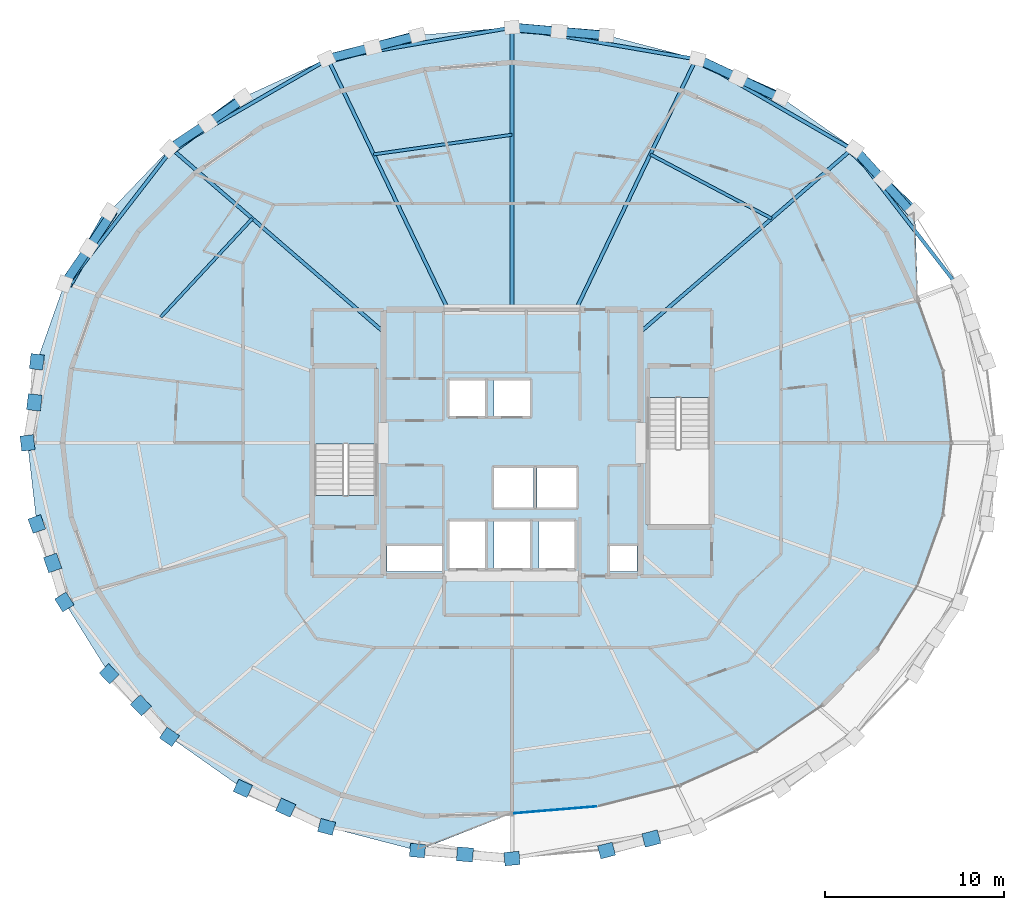
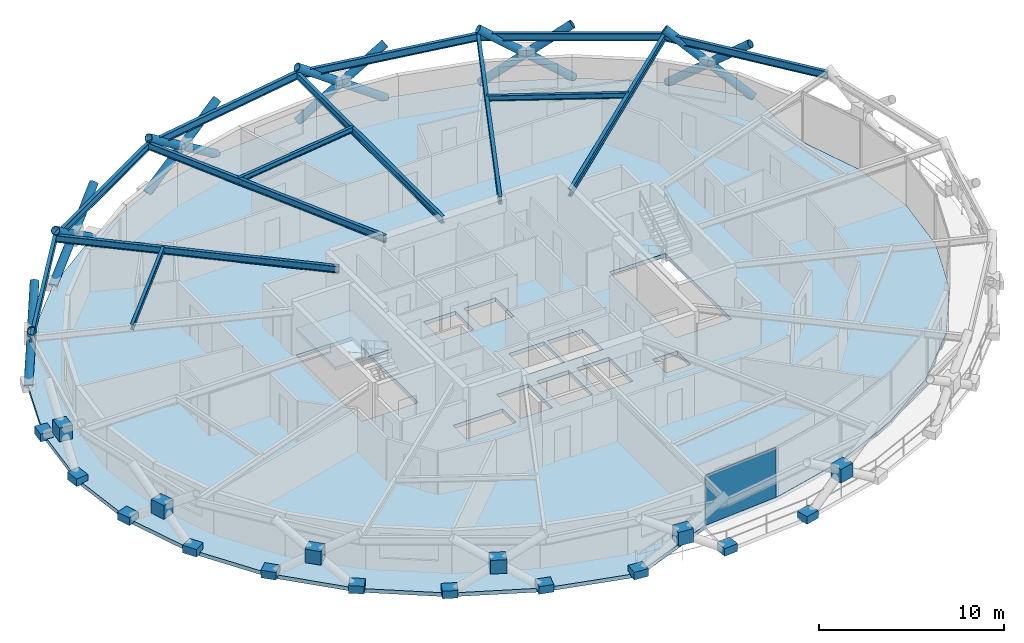
# One storey, part 10 of 16: 18 members, 18 plates, 14 beams, 2 slabs, 2 elements without a shape of their own.
"""IFC4 building model written with IfcOpenShell, lengths in metres."""

from ifc_helpers import new_model, si_unit, direction, frame, origin, origin_2d, place, context, subcontext, project, spatial, polyline, rectangle, hollow_circle, i_section, outline, extrude, material, layer, layer_set, material_profile, profile_set, type_object, element, aggregate, save


model = new_model("IFC4")

# Units and contexts
model_context = context("Model", 3, precision=1e-05, world=origin(), true_north=direction((0.0, 1.0)))
body_context = subcontext(model_context, "Body", "Model", "MODEL_VIEW")
ifc_project = project(units=[si_unit("LENGTHUNIT", "METRE"), si_unit("AREAUNIT", "SQUARE_METRE"), si_unit("VOLUMEUNIT", "CUBIC_METRE"), si_unit("PLANEANGLEUNIT", "RADIAN"), si_unit("MASSUNIT", "GRAM", prefix="KILO")], contexts=[model_context])

# Site, building, storey
site_placement = place(None, origin())
site = spatial("IfcSite", under=ifc_project, at=site_placement, CompositionType="ELEMENT")
building_placement = place(site_placement, origin())
building = spatial("IfcBuilding", under=site, at=building_placement, Name="Veldorina Hangang Commons", CompositionType="ELEMENT")
storey_placement = place(building_placement, frame((0.0, 0.0, 189.199951171875)))
storey = spatial("IfcBuildingStorey", under=building, at=storey_placement, Name="L49", CompositionType="ELEMENT", Elevation=189.199951171875)

# Beams
ifc_material_1 = material(Name="Steel SM355-TMC", Category="steel")
ifc_material_profile_1 = material_profile(ifc_material_1, i_section(OverallWidth=0.199951171875, OverallDepth=0.449951171875, WebThickness=0.009033203125, FlangeThickness=0.013916015625, FilletRadius=0.01611328125, at=origin_2d()), Name="H-450x200x9x14")
ifc_profile_set_1 = profile_set([ifc_material_profile_1], Name="Steel SM355-TMC")
beam_type_1 = type_object("IfcBeamType", Name="BM-FG450", PredefinedType="BEAM", material=ifc_profile_set_1)
beam_1_placement = place(storey_placement, frame((39.199951171875, 30.221923828125, 3.125), z_axis=(0.756619810777, 0.65385507717, 0.0), x_axis=(-0.65385507717, 0.756619810777, 0.0)))
element("IfcBeam", 1, at=beam_1_placement, inside=storey, type_object=beam_type_1, Name="L49 radial floor girder 03", PredefinedType="BEAM", context=body_context, shape_type="SweptSolid", body=[
    extrude(i_section(OverallWidth=0.199951171875, OverallDepth=0.449951171875, WebThickness=0.009033203125, FlangeThickness=0.013916015625, FilletRadius=0.01611328125, at=origin_2d()), origin(), (0.0, 0.0, 1.0), 15.617919921875),
])
beam_2_placement = place(storey_placement, frame((35.57080078125, 31.449951171875, 3.125), z_axis=(0.432242013967, 0.901757640035, 0.0), x_axis=(-0.901757640035, 0.432242013967, 0.0)))
element("IfcBeam", 2, at=beam_2_placement, inside=storey, type_object=beam_type_1, Name="L49 radial floor girder 04", PredefinedType="BEAM", context=body_context, shape_type="SweptSolid", body=[
    extrude(i_section(OverallWidth=0.199951171875, OverallDepth=0.449951171875, WebThickness=0.009033203125, FlangeThickness=0.013916015625, FilletRadius=0.01611328125, at=origin_2d()), origin(), (0.0, 0.0, 1.0), 15.549560546875),
])
beam_3_placement = place(storey_placement, frame((32.0, 31.449951171875, 3.125), z_axis=(0.0, 1.0, 0.0), x_axis=(-1.0, 0.0, 0.0)))
element("IfcBeam", 3, at=beam_3_placement, inside=storey, type_object=beam_type_1, Name="L49 radial floor girder 05", PredefinedType="BEAM", context=body_context, shape_type="SweptSolid", body=[
    extrude(i_section(OverallWidth=0.199951171875, OverallDepth=0.449951171875, WebThickness=0.009033203125, FlangeThickness=0.013916015625, FilletRadius=0.01611328125, at=origin_2d()), origin(), (0.0, 0.0, 1.0), 15.791259765625),
])
beam_4_placement = place(storey_placement, frame((28.42919921875, 31.449951171875, 3.125), z_axis=(-0.432242013967, 0.901757640035, 0.0), x_axis=(-0.901757640035, -0.432242013967, 0.0)))
element("IfcBeam", 4, at=beam_4_placement, inside=storey, type_object=beam_type_1, Name="L49 radial floor girder 06", PredefinedType="BEAM", context=body_context, shape_type="SweptSolid", body=[
    extrude(i_section(OverallWidth=0.199951171875, OverallDepth=0.449951171875, WebThickness=0.009033203125, FlangeThickness=0.013916015625, FilletRadius=0.01611328125, at=origin_2d()), origin(), (0.0, 0.0, 1.0), 15.549560546875),
])
beam_5_placement = place(storey_placement, frame((24.800048828125, 30.221923828125, 3.125), z_axis=(-0.756619810777, 0.65385507717, 0.0), x_axis=(-0.65385507717, -0.756619810777, 0.0)))
element("IfcBeam", 5, at=beam_5_placement, inside=storey, type_object=beam_type_1, Name="L49 radial floor girder 07", PredefinedType="BEAM", context=body_context, shape_type="SweptSolid", body=[
    extrude(i_section(OverallWidth=0.199951171875, OverallDepth=0.449951171875, WebThickness=0.009033203125, FlangeThickness=0.013916015625, FilletRadius=0.01611328125, at=origin_2d()), origin(), (0.0, 0.0, 1.0), 15.617919921875),
])
ifc_material_profile_2 = material_profile(ifc_material_1, i_section(OverallWidth=0.175048828125, OverallDepth=0.35009765625, WebThickness=0.007080078125, FlangeThickness=0.010986328125, FilletRadius=0.012939453125, at=origin_2d()), Name="H-350x175x7x11")
ifc_profile_set_2 = profile_set([ifc_material_profile_2], Name="Steel SM355-TMC")
beam_type_2 = type_object("IfcBeamType", Name="BM-JST350", PredefinedType="JOIST", material=ifc_profile_set_2)
beam_6_placement = place(storey_placement, frame((46.526611328125, 36.553466796875, 3.175048828125), z_axis=(-0.884002796641, 0.467481609832, 0.0), x_axis=(-0.467481609832, -0.884002796641, 0.0)))
element("IfcBeam", 6, at=beam_6_placement, inside=storey, type_object=beam_type_2, Name="L49 secondary floor joist 03", PredefinedType="JOIST", context=body_context, shape_type="SweptSolid", body=[
    extrude(i_section(OverallWidth=0.175048828125, OverallDepth=0.35009765625, WebThickness=0.007080078125, FlangeThickness=0.010986328125, FilletRadius=0.012939453125, at=origin_2d()), origin(), (0.0, 0.0, 1.0), 7.6796875),
])
beam_7_placement = place(storey_placement, frame((32.0, 41.240478515625, 3.175048828125), z_axis=(-0.990100746556, -0.14035851121, 0.0), x_axis=(0.14035851121, -0.990100746556, 0.0)))
element("IfcBeam", 7, at=beam_7_placement, inside=storey, type_object=beam_type_2, Name="L49 secondary floor joist 05", PredefinedType="JOIST", context=body_context, shape_type="SweptSolid", body=[
    extrude(i_section(OverallWidth=0.175048828125, OverallDepth=0.35009765625, WebThickness=0.007080078125, FlangeThickness=0.010986328125, FilletRadius=0.012939453125, at=origin_2d()), origin(), (0.0, 0.0, 1.0), 7.815185546875),
])
beam_8_placement = place(storey_placement, frame((17.473388671875, 36.553466796875, 3.175048828125), z_axis=(-0.680617670115, -0.732638783527, 0.0), x_axis=(0.732638783527, -0.680617670115, 0.0)))
element("IfcBeam", 8, at=beam_8_placement, inside=storey, type_object=beam_type_2, Name="L49 secondary floor joist 07", PredefinedType="JOIST", context=body_context, shape_type="SweptSolid", body=[
    extrude(i_section(OverallWidth=0.175048828125, OverallDepth=0.35009765625, WebThickness=0.007080078125, FlangeThickness=0.010986328125, FilletRadius=0.012939453125, at=origin_2d()), origin(), (0.0, 0.0, 1.0), 7.532470703125),
])
ifc_material_2 = material(Name="Steel SM420-TMC", Category="steel")
ifc_material_profile_3 = material_profile(ifc_material_2, i_section(OverallWidth=0.199951171875, OverallDepth=0.5, WebThickness=0.010009765625, FlangeThickness=0.01611328125, FilletRadius=0.01611328125, at=origin_2d()), Name="H-500x200x10x16")
ifc_profile_set_3 = profile_set([ifc_material_profile_3], Name="Steel SM420-TMC")
beam_type_3 = type_object("IfcBeamType", Name="BM-RB500", PredefinedType="BEAM", material=ifc_profile_set_3)
beam_9_placement = place(storey_placement, frame((56.8466796875, 32.89404296875, 3.10009765625), z_axis=(-0.61168587168, 0.791100748569, 0.0), x_axis=(-0.791100748569, -0.61168587168, 0.0)))
element("IfcBeam", 9, at=beam_9_placement, inside=storey, type_object=beam_type_3, Name="L49 perimeter hoop ring beam 02", PredefinedType="BEAM", context=body_context, shape_type="SweptSolid", body=[
    extrude(i_section(OverallWidth=0.199951171875, OverallDepth=0.5, WebThickness=0.010009765625, FlangeThickness=0.01611328125, FilletRadius=0.01611328125, at=origin_2d()), origin(), (0.0, 0.0, 1.0), 9.53076171875),
])
beam_10_placement = place(storey_placement, frame((51.016845703125, 40.433837890625, 3.10009765625), z_axis=(-0.865991473684, 0.500058764053, 0.0), x_axis=(-0.500058764053, -0.865991473684, 0.0)))
element("IfcBeam", 10, at=beam_10_placement, inside=storey, type_object=beam_type_3, Name="L49 perimeter hoop ring beam 04", PredefinedType="BEAM", context=body_context, shape_type="SweptSolid", body=[
    extrude(i_section(OverallWidth=0.199951171875, OverallDepth=0.5, WebThickness=0.010009765625, FlangeThickness=0.01611328125, FilletRadius=0.01611328125, at=origin_2d()), origin(), (0.0, 0.0, 1.0), 10.074951171875),
])
for number, where, z_axis, x_axis, name in (
    (11, (42.2919921875, 45.471923828125, 3.10009765625), (-0.985543279827, 0.169423857788, 0.0), (-0.169423857788, -0.985543279827, 0.0), "L49 perimeter hoop ring beam 06"),
    (12, (32.0, 47.2412109375, 3.10009765625), (-0.985543279827, -0.169423857788, 0.0), (0.169423857788, -0.985543279827, 0.0), "L49 perimeter hoop ring beam 08"),
):
    element("IfcBeam", number, at=place(storey_placement, frame(where, z_axis=z_axis, x_axis=x_axis)), inside=storey, type_object=beam_type_3, Name=name, PredefinedType="BEAM", context=body_context, shape_type="SweptSolid", body=[
        extrude(i_section(OverallWidth=0.199951171875, OverallDepth=0.5, WebThickness=0.010009765625, FlangeThickness=0.01611328125, FilletRadius=0.01611328125, at=origin_2d()), origin(), (0.0, 0.0, 1.0), 10.44287109375),
    ])
beam_11_placement = place(storey_placement, frame((21.7080078125, 45.471923828125, 3.10009765625), z_axis=(-0.865991473684, -0.500058764053, 0.0), x_axis=(0.500058764053, -0.865991473684, 0.0)))
element("IfcBeam", 13, at=beam_11_placement, inside=storey, type_object=beam_type_3, Name="L49 perimeter hoop ring beam 10", PredefinedType="BEAM", context=body_context, shape_type="SweptSolid", body=[
    extrude(i_section(OverallWidth=0.199951171875, OverallDepth=0.5, WebThickness=0.010009765625, FlangeThickness=0.01611328125, FilletRadius=0.01611328125, at=origin_2d()), origin(), (0.0, 0.0, 1.0), 10.074951171875),
])
beam_12_placement = place(storey_placement, frame((12.983154296875, 40.433837890625, 3.10009765625), z_axis=(-0.61168587168, -0.791100748569, 0.0), x_axis=(0.791100748569, -0.61168587168, 0.0)))
element("IfcBeam", 14, at=beam_12_placement, inside=storey, type_object=beam_type_3, Name="L49 perimeter hoop ring beam 12", PredefinedType="BEAM", context=body_context, shape_type="SweptSolid", body=[
    extrude(i_section(OverallWidth=0.199951171875, OverallDepth=0.5, WebThickness=0.010009765625, FlangeThickness=0.01611328125, FilletRadius=0.01611328125, at=origin_2d()), origin(), (0.0, 0.0, 1.0), 9.53076171875),
])

# Members
ifc_material_profile_4 = material_profile(ifc_material_2, hollow_circle(Radius=0.25, WallThickness=0.02490234375, at=origin_2d()), Name="CHS-500x25")
ifc_profile_set_4 = profile_set([ifc_material_profile_4], Name="Steel SM420-TMC")
member_type = type_object("IfcMemberType", Name="DG-CHS500", PredefinedType="BRACE", material=ifc_profile_set_4)
member_1_placement = place(storey_placement, frame((54.5361328125, 36.917724609375, 0.0), z_axis=(-0.575774313963, 0.571172245444, 0.585018124006), x_axis=(-0.704263879636, -0.709938298615, 0.0)))
element("IfcMember", 15, at=member_1_placement, inside=storey, type_object=member_type, Name="L49 continuous perimeter diagrid brace 03", PredefinedType="BRACE", context=body_context, shape_type="SweptSolid", body=[
    extrude(hollow_circle(Radius=0.25, WallThickness=0.02490234375, at=origin_2d()), origin(), (0.0, 0.0, 1.0), 6.15380859375),
])
member_2_placement = place(storey_placement, frame((51.16552734375, 40.44140625, 0.0), z_axis=(0.534502086193, -0.590545853075, 0.604618156584), x_axis=(0.741411660676, 0.671050482016, 0.0)))
element("IfcMember", 16, at=member_2_placement, inside=storey, type_object=member_type, Name="L49 split perimeter diagrid lower brace 04", PredefinedType="BRACE", context=body_context, shape_type="SweptSolid", body=[
    extrude(hollow_circle(Radius=0.25, WallThickness=0.02490234375, at=origin_2d()), origin(), (0.0, 0.0, 1.0), 2.984130859375),
])
member_3_placement = place(storey_placement, frame((52.760498046875, 38.67919921875, 1.80419921875), z_axis=(0.529427798158, -0.595174808175, 0.604543757102), x_axis=(0.74717019632, 0.664632754031, 0.0)))
element("IfcMember", 17, at=member_3_placement, inside=storey, type_object=member_type, Name="L49 split perimeter diagrid upper brace 04", PredefinedType="BRACE", context=body_context, shape_type="SweptSolid", body=[
    extrude(hollow_circle(Radius=0.25, WallThickness=0.02490234375, at=origin_2d()), origin(), (0.0, 0.0, 1.0), 2.970703125),
])
member_4_placement = place(storey_placement, frame((47.05810546875, 43.3330078125, 0.0), z_axis=(-0.752192204928, 0.336403900396, 0.566603302711), x_axis=(-0.408261761367, -0.912864904685, 0.0)))
element("IfcMember", 18, at=member_4_placement, inside=storey, type_object=member_type, Name="L49 continuous perimeter diagrid brace 05", PredefinedType="BRACE", context=body_context, shape_type="SweptSolid", body=[
    extrude(hollow_circle(Radius=0.25, WallThickness=0.02490234375, at=origin_2d()), origin(), (0.0, 0.0, 1.0), 6.353759765625),
])
member_5_placement = place(storey_placement, frame((42.372314453125, 45.481689453125, 0.0), z_axis=(0.736119851785, -0.346293785954, 0.581556684785), x_axis=(0.425680739384, 0.904873421047, 0.0)))
element("IfcMember", 19, at=member_5_placement, inside=storey, type_object=member_type, Name="L49 split perimeter diagrid lower brace 06", PredefinedType="BRACE", context=body_context, shape_type="SweptSolid", body=[
    extrude(hollow_circle(Radius=0.25, WallThickness=0.02490234375, at=origin_2d()), origin(), (0.0, 0.0, 1.0), 3.10693359375),
])
member_6_placement = place(storey_placement, frame((44.659423828125, 44.40576171875, 1.806884765625), z_axis=(0.733887963239, -0.351110368605, 0.581489437971), x_axis=(0.431576009866, 0.902076575302, 0.0)))
element("IfcMember", 20, at=member_6_placement, inside=storey, type_object=member_type, Name="L49 split perimeter diagrid upper brace 06", PredefinedType="BRACE", context=body_context, shape_type="SweptSolid", body=[
    extrude(hollow_circle(Radius=0.25, WallThickness=0.02490234375, at=origin_2d()), origin(), (0.0, 0.0, 1.0), 3.083740234375),
])
member_7_placement = place(storey_placement, frame((37.28759765625, 46.8046875, 0.0), z_axis=(-0.82469397215, 0.067816971299, 0.561498629298), x_axis=(-0.081956255749, -0.99663592758, 0.0)))
element("IfcMember", 21, at=member_7_placement, inside=storey, type_object=member_type, Name="L49 continuous perimeter diagrid brace 07", PredefinedType="BRACE", context=body_context, shape_type="SweptSolid", body=[
    extrude(hollow_circle(Radius=0.25, WallThickness=0.02490234375, at=origin_2d()), origin(), (0.0, 0.0, 1.0), 6.41162109375),
])
member_8_placement = place(storey_placement, frame((32.0, 47.25146484375, 0.0), z_axis=(0.822151355043, -0.07137869106, 0.564776267086), x_axis=(0.086494037362, 0.996252368379, 0.0)))
element("IfcMember", 22, at=member_8_placement, inside=storey, type_object=member_type, Name="L49 split perimeter diagrid lower brace 08", PredefinedType="BRACE", context=body_context, shape_type="SweptSolid", body=[
    extrude(hollow_circle(Radius=0.25, WallThickness=0.02490234375, at=origin_2d()), origin(), (0.0, 0.0, 1.0), 3.201416015625),
])
member_9_placement = place(storey_placement, frame((34.632080078125, 47.02294921875, 1.80810546875), z_axis=(0.822013179201, -0.072489834751, 0.564835867379), x_axis=(0.087844822071, 0.996134171302, 0.0)))
element("IfcMember", 23, at=member_9_placement, inside=storey, type_object=member_type, Name="L49 split perimeter diagrid upper brace 08", PredefinedType="BRACE", context=body_context, shape_type="SweptSolid", body=[
    extrude(hollow_circle(Radius=0.25, WallThickness=0.02490234375, at=origin_2d()), origin(), (0.0, 0.0, 1.0), 3.172607421875),
])
member_10_placement = place(storey_placement, frame((26.71240234375, 46.8046875, 0.0), z_axis=(-0.792624688354, -0.211880939242, 0.57171021593), x_axis=(0.258247897084, -0.966078683986, 0.0)))
element("IfcMember", 24, at=member_10_placement, inside=storey, type_object=member_type, Name="L49 continuous perimeter diagrid brace 09", PredefinedType="BRACE", context=body_context, shape_type="SweptSolid", body=[
    extrude(hollow_circle(Radius=0.25, WallThickness=0.02490234375, at=origin_2d()), origin(), (0.0, 0.0, 1.0), 6.297119140625),
])
member_11_placement = place(storey_placement, frame((21.627685546875, 45.481689453125, 0.0), z_axis=(0.801758062473, 0.203077626846, 0.56208850436), x_axis=(-0.245536515558, 0.96938734236, 0.0)))
element("IfcMember", 25, at=member_11_placement, inside=storey, type_object=member_type, Name="L49 split perimeter diagrid lower brace 10", PredefinedType="BRACE", context=body_context, shape_type="SweptSolid", body=[
    extrude(hollow_circle(Radius=0.25, WallThickness=0.02490234375, at=origin_2d()), origin(), (0.0, 0.0, 1.0), 3.2158203125),
])
member_12_placement = place(storey_placement, frame((24.2060546875, 46.134765625, 1.8076171875), z_axis=(0.800896097979, 0.206406259454, 0.562104880161), x_axis=(-0.249564447347, 0.968358191281, 0.0)))
element("IfcMember", 26, at=member_12_placement, inside=storey, type_object=member_type, Name="L49 split perimeter diagrid upper brace 10", PredefinedType="BRACE", context=body_context, shape_type="SweptSolid", body=[
    extrude(hollow_circle(Radius=0.25, WallThickness=0.02490234375, at=origin_2d()), origin(), (0.0, 0.0, 1.0), 3.18896484375),
])
member_13_placement = place(storey_placement, frame((16.94189453125, 43.3330078125, 0.0), z_axis=(-0.648144331787, -0.477753593202, 0.593009636814), x_axis=(0.593338729797, -0.80495288789, 0.0)))
element("IfcMember", 27, at=member_13_placement, inside=storey, type_object=member_type, Name="L49 continuous perimeter diagrid brace 11", PredefinedType="BRACE", context=body_context, shape_type="SweptSolid", body=[
    extrude(hollow_circle(Radius=0.25, WallThickness=0.02490234375, at=origin_2d()), origin(), (0.0, 0.0, 1.0), 6.07080078125),
])
member_14_placement = place(storey_placement, frame((12.83447265625, 40.44140625, 0.0), z_axis=(0.67894279169, 0.457185364591, 0.574472129887), x_axis=(-0.558548417583, 0.829471919486, 0.0)))
element("IfcMember", 28, at=member_14_placement, inside=storey, type_object=member_type, Name="L49 split perimeter diagrid lower brace 12", PredefinedType="BRACE", context=body_context, shape_type="SweptSolid", body=[
    extrude(hollow_circle(Radius=0.25, WallThickness=0.02490234375, at=origin_2d()), origin(), (0.0, 0.0, 1.0), 3.14306640625),
])
member_15_placement = place(storey_placement, frame((14.968505859375, 41.87841796875, 1.8056640625), z_axis=(0.675238620819, 0.46253611014, 0.574554742188), x_axis=(-0.565125517834, 0.825004938829, 0.0)))
element("IfcMember", 29, at=member_15_placement, inside=storey, type_object=member_type, Name="L49 split perimeter diagrid upper brace 12", PredefinedType="BRACE", context=body_context, shape_type="SweptSolid", body=[
    extrude(hollow_circle(Radius=0.25, WallThickness=0.02490234375, at=origin_2d()), origin(), (0.0, 0.0, 1.0), 3.123291015625),
])
member_16_placement = place(storey_placement, frame((9.4638671875, 36.917724609375, 0.0), z_axis=(-0.388889402348, -0.686638057872, 0.614241980186), x_axis=(0.87013386328, -0.492815442101, 0.0)))
element("IfcMember", 30, at=member_16_placement, inside=storey, type_object=member_type, Name="L49 continuous perimeter diagrid brace 13", PredefinedType="BRACE", context=body_context, shape_type="SweptSolid", body=[
    extrude(hollow_circle(Radius=0.25, WallThickness=0.02490234375, at=origin_2d()), origin(), (0.0, 0.0, 1.0), 5.861083984375),
])
member_17_placement = place(storey_placement, frame((6.958984375, 32.89794921875, 0.0), z_axis=(0.451319648856, 0.663524733529, 0.596695485614), x_axis=(-0.826855321704, 0.56241468417, 0.0)))
element("IfcMember", 31, at=member_17_placement, inside=storey, type_object=member_type, Name="L49 split perimeter diagrid lower brace 14", PredefinedType="BRACE", context=body_context, shape_type="SweptSolid", body=[
    extrude(hollow_circle(Radius=0.25, WallThickness=0.02490234375, at=origin_2d()), origin(), (0.0, 0.0, 1.0), 3.021240234375),
])
member_18_placement = place(storey_placement, frame((8.322509765625, 34.902587890625, 1.802734375), z_axis=(0.446304088582, 0.666862284192, 0.596747312049), x_axis=(-0.831054342837, 0.556191225436, 0.0)))
element("IfcMember", 32, at=member_18_placement, inside=storey, type_object=member_type, Name="L49 split perimeter diagrid upper brace 14", PredefinedType="BRACE", context=body_context, shape_type="SweptSolid", body=[
    extrude(hollow_circle(Radius=0.25, WallThickness=0.02490234375, at=origin_2d()), origin(), (0.0, 0.0, 1.0), 3.011962890625),
])

# Curtain wall, plate
ifc_material_3 = material(Name="Glass Low-E Triple IGU", Category="glass")
ifc_layer_1 = layer(ifc_material_3, 0.179931640625)
ifc_layer_set_1 = layer_set([ifc_layer_1], Name="Glass Low-E Triple IGU")
curtain_wall_type = type_object("IfcCurtainWallType", Name="CW-SYS-Z2", PredefinedType="NOTDEFINED", material=ifc_layer_set_1)
curtain_wall_placement = place(storey_placement, origin())
curtain_wall = element("IfcCurtainWall", 33, at=curtain_wall_placement, inside=storey, type_object=curtain_wall_type, Name="L49 unitised curtain wall CW-L49-R1", PredefinedType="NOTDEFINED")
ifc_layer_2 = layer(ifc_material_3, 0.0400390625)
ifc_layer_set_2 = layer_set([ifc_layer_2], Name="Glass Low-E Triple IGU")
plate_type_1 = type_object("IfcPlateType", Name="CW-PNL-VIS", PredefinedType="CURTAIN_PANEL", material=ifc_layer_set_2)
plate_1_placement = place(storey_placement, frame((34.39794921875, 3.467529296875, 0.01513671875), z_axis=(0.0, 0.0, 1.0), x_axis=(0.996569836959, 0.082756027351, 0.0)))
plate_1 = element("IfcPlate", 34, at=plate_1_placement, type_object=plate_type_1, Name="CW-L49-R1 facet 1 glazed vision panel", PredefinedType="CURTAIN_PANEL", context=body_context, shape_type="SweptSolid", body=[
    extrude(rectangle(XDim=4.632568359375, YDim=0.0400390625, at=origin_2d()), origin(), (0.0, 0.0, 1.0), 3.280029296875),
])
aggregate(curtain_wall, [plate_1])

# Plates
ifc_material_4 = material(Name="Steel SM460-TMC", Category="steel")
ifc_layer_3 = layer(ifc_material_4, 0.035888671875)
ifc_layer_set_3 = layer_set([ifc_layer_3], Name="Steel SM460-TMC")
plate_type_2 = type_object("IfcPlateType", Name="PL-STAR-36", PredefinedType="USERDEFINED", material=ifc_layer_set_3)
plate_2_placement = place(storey_placement, frame((5.416748046875, 28.5361328125, -0.08984375), z_axis=(0.0, 0.0, 1.0), x_axis=(-0.114070225565, -0.993472688925, 0.0)))
element("IfcPlate", 35, at=plate_2_placement, inside=storey, type_object=plate_type_2, Name="L49 diagrid star-node gusset plate 15", ObjectType="GUSSET PLATE", PredefinedType="USERDEFINED", context=body_context, shape_type="SweptSolid", body=[
    extrude(rectangle(XDim=0.85009765625, YDim=0.75, at=origin_2d()), origin(), (0.0, 0.0, 1.0), 0.5),
])
plate_3_placement = place(storey_placement, frame((5.2783203125, 26.267333984375, 1.3505859375), z_axis=(0.0, 0.0, 1.0), x_axis=(-0.114070225565, -0.993472688925, 0.0)))
element("IfcPlate", 36, at=plate_3_placement, inside=storey, type_object=plate_type_2, Name="L49 diagrid X-crossing star-node gusset plate 15", ObjectType="GUSSET PLATE", PredefinedType="USERDEFINED", context=body_context, shape_type="SweptSolid", body=[
    extrude(rectangle(XDim=0.89990234375, YDim=0.780029296875, at=origin_2d()), origin(), (0.0, 0.0, 1.0), 0.89990234375),
])
for number, where, z_axis, x_axis, name in (
    (37, (4.89599609375, 24.0, -0.08984375), (0.0, 0.0, 1.0), (0.114070225565, -0.993472688925, 0.0), "L49 diagrid star-node gusset plate 16"),
    (38, (5.416748046875, 19.4638671875, -0.08984375), (0.0, 0.0, 1.0), (0.33337906774, -0.94279287078, 0.0), "L49 diagrid star-node gusset plate 17"),
):
    element("IfcPlate", number, at=place(storey_placement, frame(where, z_axis=z_axis, x_axis=x_axis)), inside=storey, type_object=plate_type_2, Name=name, ObjectType="GUSSET PLATE", PredefinedType="USERDEFINED", context=body_context, shape_type="SweptSolid", body=[
        extrude(rectangle(XDim=0.85009765625, YDim=0.75, at=origin_2d()), origin(), (0.0, 0.0, 1.0), 0.5),
    ])
plate_4_placement = place(storey_placement, frame((6.30126953125, 17.28369140625, 1.351318359375), z_axis=(0.0, 0.0, 1.0), x_axis=(0.33337906774, -0.94279287078, 0.0)))
element("IfcPlate", 39, at=plate_4_placement, inside=storey, type_object=plate_type_2, Name="L49 diagrid X-crossing star-node gusset plate 17", ObjectType="GUSSET PLATE", PredefinedType="USERDEFINED", context=body_context, shape_type="SweptSolid", body=[
    extrude(rectangle(XDim=0.89990234375, YDim=0.780029296875, at=origin_2d()), origin(), (0.0, 0.0, 1.0), 0.89990234375),
])
for number, where, z_axis, x_axis, name in (
    (40, (6.958984375, 15.10205078125, -0.08984375), (0.0, 0.0, 1.0), (0.528838344516, -0.848722572676, 0.0), "L49 diagrid star-node gusset plate 18"),
    (41, (9.4638671875, 11.082275390625, -0.08984375), (0.0, 0.0, 1.0), (0.691260861067, -0.722605301639, 0.0), "L49 diagrid star-node gusset plate 19"),
):
    element("IfcPlate", number, at=place(storey_placement, frame(where, z_axis=z_axis, x_axis=x_axis)), inside=storey, type_object=plate_type_2, Name=name, ObjectType="GUSSET PLATE", PredefinedType="USERDEFINED", context=body_context, shape_type="SweptSolid", body=[
        extrude(rectangle(XDim=0.85009765625, YDim=0.75, at=origin_2d()), origin(), (0.0, 0.0, 1.0), 0.5),
    ])
plate_5_placement = place(storey_placement, frame((11.239501953125, 9.32080078125, 1.354248046875), z_axis=(0.0, 0.0, 1.0), x_axis=(0.691260861067, -0.722605301639, 0.0)))
element("IfcPlate", 42, at=plate_5_placement, inside=storey, type_object=plate_type_2, Name="L49 diagrid X-crossing star-node gusset plate 19", ObjectType="GUSSET PLATE", PredefinedType="USERDEFINED", context=body_context, shape_type="SweptSolid", body=[
    extrude(rectangle(XDim=0.89990234375, YDim=0.780029296875, at=origin_2d()), origin(), (0.0, 0.0, 1.0), 0.89990234375),
])
for number, where, z_axis, x_axis, name in (
    (43, (12.83447265625, 7.55859375, -0.08984375), (0.0, 0.0, 1.0), (0.817687809993, -0.575661919349, 0.0), "L49 diagrid star-node gusset plate 20"),
    (44, (16.94189453125, 4.6669921875, -0.08984375), (0.0, 0.0, 1.0), (0.908988922979, -0.416820270503, 0.0), "L49 diagrid star-node gusset plate 21"),
):
    element("IfcPlate", number, at=place(storey_placement, frame(where, z_axis=z_axis, x_axis=x_axis)), inside=storey, type_object=plate_type_2, Name=name, ObjectType="GUSSET PLATE", PredefinedType="USERDEFINED", context=body_context, shape_type="SweptSolid", body=[
        extrude(rectangle(XDim=0.85009765625, YDim=0.75, at=origin_2d()), origin(), (0.0, 0.0, 1.0), 0.5),
    ])
plate_6_placement = place(storey_placement, frame((19.340576171875, 3.59423828125, 1.35693359375), z_axis=(0.0, 0.0, 1.0), x_axis=(0.908988922979, -0.416820270503, 0.0)))
element("IfcPlate", 45, at=plate_6_placement, inside=storey, type_object=plate_type_2, Name="L49 diagrid X-crossing star-node gusset plate 21", ObjectType="GUSSET PLATE", PredefinedType="USERDEFINED", context=body_context, shape_type="SweptSolid", body=[
    extrude(rectangle(XDim=0.89990234375, YDim=0.780029296875, at=origin_2d()), origin(), (0.0, 0.0, 1.0), 0.89990234375),
])
for number, where, z_axis, x_axis, name in (
    (46, (21.627685546875, 2.518310546875, -0.08984375), (0.0, 0.0, 1.0), (0.967770733756, -0.251832894763, 0.0), "L49 diagrid star-node gusset plate 22"),
    (47, (26.71240234375, 1.1953125, -0.08984375), (0.0, 0.0, 1.0), (0.996448909038, -0.084199594279, 0.0), "L49 diagrid star-node gusset plate 23"),
):
    element("IfcPlate", number, at=place(storey_placement, frame(where, z_axis=z_axis, x_axis=x_axis)), inside=storey, type_object=plate_type_2, Name=name, ObjectType="GUSSET PLATE", PredefinedType="USERDEFINED", context=body_context, shape_type="SweptSolid", body=[
        extrude(rectangle(XDim=0.85009765625, YDim=0.75, at=origin_2d()), origin(), (0.0, 0.0, 1.0), 0.5),
    ])
plate_7_placement = place(storey_placement, frame((29.367919921875, 0.97705078125, 1.358154296875), z_axis=(0.0, 0.0, 1.0), x_axis=(0.996448909038, -0.084199594279, 0.0)))
element("IfcPlate", 48, at=plate_7_placement, inside=storey, type_object=plate_type_2, Name="L49 diagrid X-crossing star-node gusset plate 23", ObjectType="GUSSET PLATE", PredefinedType="USERDEFINED", context=body_context, shape_type="SweptSolid", body=[
    extrude(rectangle(XDim=0.89990234375, YDim=0.780029296875, at=origin_2d()), origin(), (0.0, 0.0, 1.0), 0.89990234375),
])
for number, where, z_axis, x_axis, name in (
    (49, (32.0, 0.74853515625, -0.08984375), (0.0, 0.0, 1.0), (0.996448909038, 0.084199594279, 0.0), "L49 diagrid star-node gusset plate 24"),
    (50, (37.28759765625, 1.1953125, -0.08984375), (0.0, 0.0, 1.0), (0.967770733756, 0.251832894763, 0.0), "L49 diagrid star-node gusset plate 25"),
):
    element("IfcPlate", number, at=place(storey_placement, frame(where, z_axis=z_axis, x_axis=x_axis)), inside=storey, type_object=plate_type_2, Name=name, ObjectType="GUSSET PLATE", PredefinedType="USERDEFINED", context=body_context, shape_type="SweptSolid", body=[
        extrude(rectangle(XDim=0.85009765625, YDim=0.75, at=origin_2d()), origin(), (0.0, 0.0, 1.0), 0.5),
    ])
plate_8_placement = place(storey_placement, frame((39.7939453125, 1.865234375, 1.357666015625), z_axis=(0.0, 0.0, 1.0), x_axis=(0.967770733756, 0.251832894763, 0.0)))
element("IfcPlate", 51, at=plate_8_placement, inside=storey, type_object=plate_type_2, Name="L49 diagrid X-crossing star-node gusset plate 25", ObjectType="GUSSET PLATE", PredefinedType="USERDEFINED", context=body_context, shape_type="SweptSolid", body=[
    extrude(rectangle(XDim=0.89990234375, YDim=0.780029296875, at=origin_2d()), origin(), (0.0, 0.0, 1.0), 0.89990234375),
])

# Slab
ifc_material_5 = material(Name="Concrete C40/50", Category="concrete")
ifc_layer_4 = layer(ifc_material_5, 0.25)
ifc_layer_set_4 = layer_set([ifc_layer_4], Name="Concrete C40/50")
slab_type_1 = type_object("IfcSlabType", Name="SL-FLR-250", PredefinedType="FLOOR", material=ifc_layer_set_4)
slab_1_placement = place(storey_placement, frame((0.0, 0.0, -0.25)))
element("IfcSlab", 52, at=slab_1_placement, inside=storey, type_object=slab_type_1, Name="L49 tower structural floor slab", PredefinedType="FLOOR", context=body_context, shape_type="SweptSolid", body=[
    extrude(outline(polyline([(56.583984375, 24.0), (56.11181640625, 28.04443359375), (54.712646484375, 31.93359375), (54.5361328125, 36.917724609375), (51.16552734375, 40.44140625), (47.05810546875, 43.3330078125), (42.372314453125, 45.481689453125), (37.28759765625, 46.8046875), (32.0, 47.25146484375), (26.71240234375, 46.8046875), (21.627685546875, 45.481689453125), (16.94189453125, 43.3330078125), (12.83447265625, 40.44140625), (9.4638671875, 36.917724609375), (6.958984375, 32.89794921875), (5.416748046875, 28.5361328125), (4.89599609375, 24.0), (5.416748046875, 19.4638671875), (6.958984375, 15.10205078125), (9.4638671875, 11.082275390625), (12.83447265625, 7.55859375), (16.94189453125, 4.6669921875), (21.627685546875, 2.518310546875), (26.71240234375, 1.1953125), (32.0, 3.2685546875), (36.796142578125, 3.666748046875), (41.407958984375, 4.8466796875), (45.658203125, 6.762451171875), (49.383544921875, 9.340576171875), (52.44091796875, 12.482177734375), (54.712646484375, 16.06640625), (56.11181640625, 19.95556640625), (56.583984375, 24.0)]), holes=[polyline([(20.949951171875, 21.05810546875), (20.949951171875, 28.199951171875), (24.449951171875, 28.199951171875), (24.449951171875, 21.05810546875), (20.949951171875, 21.05810546875)]), polyline([(43.050048828125, 26.5419921875), (43.050048828125, 19.39990234375), (39.550048828125, 19.39990234375), (39.550048828125, 26.5419921875), (43.050048828125, 26.5419921875)]), polyline([(28.5, 27.5), (30.5, 27.5), (30.5, 25.5), (28.5, 25.5), (28.5, 27.5)]), polyline([(31.0, 27.5), (33.0, 27.5), (33.0, 25.5), (31.0, 25.5), (31.0, 27.5)]), polyline([(31.0, 22.60009765625), (33.199951171875, 22.60009765625), (33.199951171875, 20.39990234375), (31.0, 20.39990234375), (31.0, 22.60009765625)]), polyline([(33.39990234375, 22.60009765625), (35.60009765625, 22.60009765625), (35.60009765625, 20.39990234375), (33.39990234375, 20.39990234375), (33.39990234375, 22.60009765625)]), polyline([(28.5, 19.60009765625), (30.5, 19.60009765625), (30.5, 17.0), (28.5, 17.0), (28.5, 19.60009765625)]), polyline([(31.0, 19.60009765625), (33.0, 19.60009765625), (33.0, 17.0), (31.0, 17.0), (31.0, 19.60009765625)]), polyline([(33.5, 19.60009765625), (35.5, 19.60009765625), (35.5, 17.0), (33.5, 17.0), (33.5, 19.60009765625)]), polyline([(25.0, 18.25), (28.10009765625, 18.25), (28.10009765625, 16.800048828125), (25.0, 16.800048828125), (25.0, 18.25)]), polyline([(37.449951171875, 18.25), (39.0, 18.25), (39.0, 16.800048828125), (37.449951171875, 16.800048828125), (37.449951171875, 18.25)])]), origin(), (0.0, 0.0, 1.0), 0.25),
])

# Stair, slab
stair_type = type_object("IfcStairType", Name="STR-DOG-1650-20R", PredefinedType="HALF_TURN_STAIR", material=ifc_material_5)
stair_placement = place(storey_placement, origin())
stair = element("IfcStair", 53, at=stair_placement, inside=storey, type_object=stair_type, Name="L49 Exit stair ST-1", PredefinedType="HALF_TURN_STAIR")
ifc_layer_5 = layer(ifc_material_5, 0.199951171875)
ifc_layer_set_5 = layer_set([ifc_layer_5], Name="Concrete C40/50")
slab_type_2 = type_object("IfcSlabType", Name="SL-LND-200", PredefinedType="LANDING", material=ifc_layer_set_5)
slab_2_placement = place(storey_placement, frame((0.0, 0.0, 1.60009765625)))
slab_2 = element("IfcSlab", 54, at=slab_2_placement, type_object=slab_type_2, Name="ST-1 landing 1", PredefinedType="LANDING", context=body_context, shape_type="SweptSolid", body=[
    extrude(outline(polyline([(24.449951171875, 23.929931640625), (24.449951171875, 28.199951171875), (20.949951171875, 28.199951171875), (20.949951171875, 23.929931640625), (24.449951171875, 23.929931640625)])), origin(), (0.0, 0.0, 1.0), 0.199951171875),
])
aggregate(stair, [slab_2])

save(model, "model.ifc")
